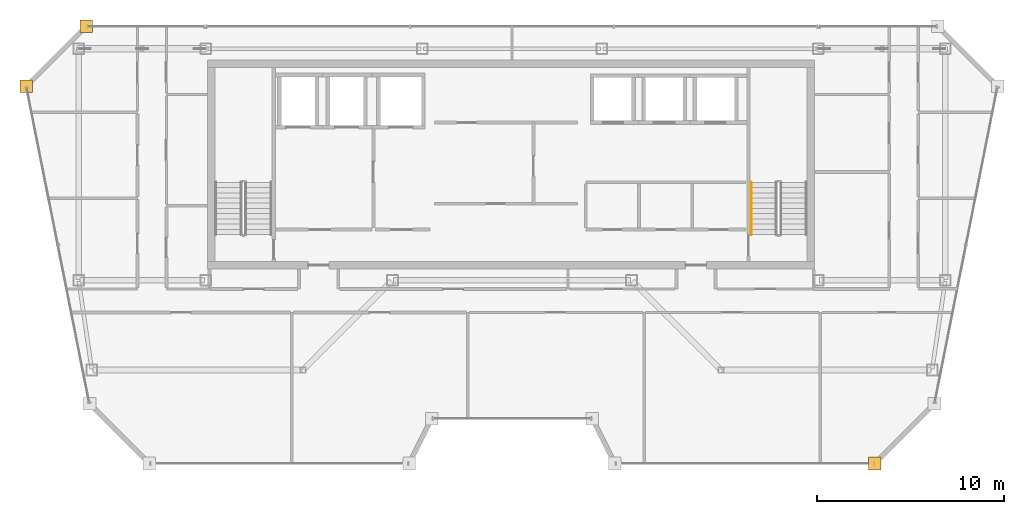
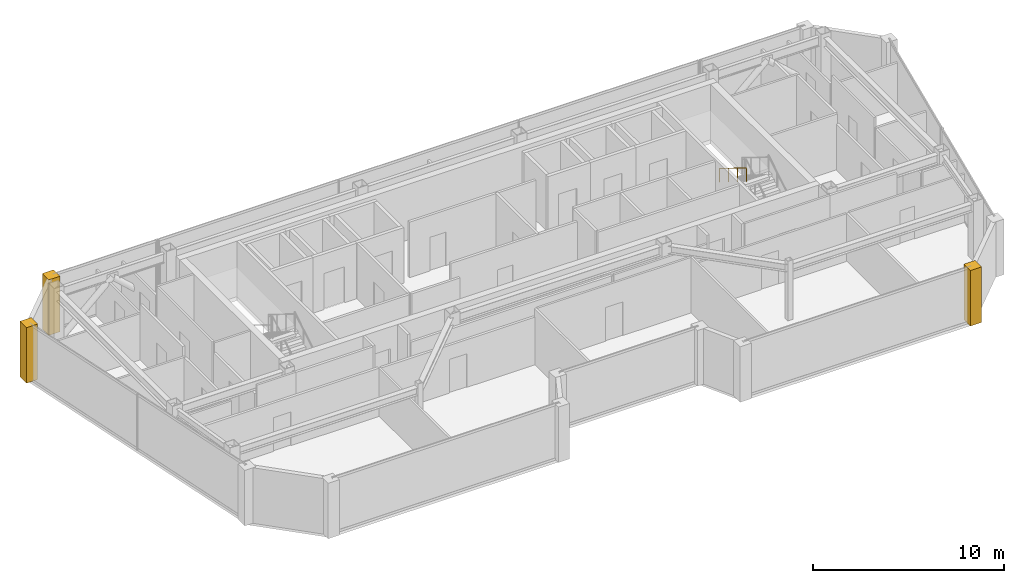
# One storey, part 23 of 24: 3 coverings, 1 railing.
"""IFC4 building model written with IfcOpenShell, lengths in metres."""

import ifcopenshell
import ifcopenshell.guid

model = None  # the IFC model being written
_history = None  # IfcOwnerHistory: only IFC2X3 demands one
_inside = {}  # id of a spatial element -> (the spatial element, [elements in it])
_under = {}  # id of a project, library or spatial element -> (it, [spatial elements below it])
_declared = {}  # id of a project -> (the project, [libraries it declares])
_typed = {}  # id of a type object -> (the type object, [elements of that type])
_made_of = {}  # id of a material, layer set ... -> (it, [elements and type objects made of it])


def new_model(schema):
    """Start an empty IFC model of exactly this schema.

    Asked for "IFC4X3", IfcOpenShell would pick the latest addendum, in which some entities
    have other attributes; the version numbers below select the first issue.
    IFC2X3 requires an IfcOwnerHistory on every rooted entity: one is made here for all.
    """
    global model, _history
    if schema == "IFC4X3":
        model = ifcopenshell.file(schema_version=(4, 3, 0, 0))
    else:
        model = ifcopenshell.file(schema=schema)
    _inside.clear()
    _under.clear()
    _declared.clear()
    _typed.clear()
    _made_of.clear()
    _history = None
    if model.schema == "IFC2X3":
        org = make("IfcOrganization", Name="unknown")
        user = make(
            "IfcPersonAndOrganization",
            ThePerson=make("IfcPerson", FamilyName="unknown"),
            TheOrganization=org,
        )
        app = make(
            "IfcApplication",
            ApplicationDeveloper=org,
            Version="unknown",
            ApplicationFullName="unknown",
            ApplicationIdentifier="unknown",
        )
        _history = make(
            "IfcOwnerHistory",
            OwningUser=user,
            OwningApplication=app,
            ChangeAction="ADDED",
            CreationDate=0,
        )
    return model


def make(cls, **values):
    """One entity of the class cls with the attributes given. An attribute that is None is left unset."""
    return model.create_entity(
        cls, **{name: value for name, value in values.items() if value is not None}
    )


def rooted(cls, **values):
    """An entity with a GlobalId (a new one), such as an element, a storey or a relation."""
    return make(cls, GlobalId=ifcopenshell.guid.new(), OwnerHistory=_history, **values)


def si_unit(unit_type, name, prefix=None):
    """IfcSIUnit, for example si_unit("LENGTHUNIT", "METRE", prefix="MILLI")."""
    return make("IfcSIUnit", UnitType=unit_type, Prefix=prefix, Name=name)


def assignment(units):
    """IfcUnitAssignment: the units of a project."""
    return None if units is None else make("IfcUnitAssignment", Units=units)


def point(xyz):
    """IfcCartesianPoint."""
    return None if xyz is None else make("IfcCartesianPoint", Coordinates=xyz)


def direction(xyz):
    """IfcDirection."""
    return None if xyz is None else make("IfcDirection", DirectionRatios=xyz)


def frame(location, z_axis=None, x_axis=None):
    """IfcAxis2Placement3D, a coordinate frame: its origin and axes. An axis left out is left unset."""
    return make(
        "IfcAxis2Placement3D",
        Location=point(location),
        Axis=direction(z_axis),
        RefDirection=direction(x_axis),
    )


def frame_2d(location, x_axis=None):
    """IfcAxis2Placement2D, a coordinate frame in the plane: its origin and x axis."""
    return make(
        "IfcAxis2Placement2D", Location=point(location), RefDirection=direction(x_axis)
    )


def origin():
    """The frame at (0, 0, 0) with its axes left unset."""
    return frame((0.0, 0.0, 0.0))


def origin_2d():
    """The frame at (0, 0) in the plane with its x axis left unset."""
    return frame_2d((0.0, 0.0))


def place(relative_to, where):
    """IfcLocalPlacement: puts the frame where relative to a parent placement (None: the world)."""
    return make(
        "IfcLocalPlacement", PlacementRelTo=relative_to, RelativePlacement=where
    )


def context(
    kind, dimensions, precision=None, world=None, true_north=None, identifier=None
):
    """IfcGeometricRepresentationContext, for example the 3D "Model" context."""
    return make(
        "IfcGeometricRepresentationContext",
        ContextIdentifier=identifier,
        ContextType=kind,
        CoordinateSpaceDimension=dimensions,
        Precision=precision,
        WorldCoordinateSystem=world,
        TrueNorth=true_north,
    )


def subcontext(parent, identifier, kind, view, scale=None):
    """IfcGeometricRepresentationSubContext, for example "Body" below "Model"."""
    return make(
        "IfcGeometricRepresentationSubContext",
        ContextIdentifier=identifier,
        ContextType=kind,
        ParentContext=parent,
        TargetScale=scale,
        TargetView=view,
    )


def project(units=None, contexts=None):
    """IfcProject with its units and contexts."""
    return rooted(
        "IfcProject",
        Name="project",
        RepresentationContexts=contexts,
        UnitsInContext=assignment(units),
    )


def spatial(cls, under=None, at=None, **own):
    """A site, building, storey or space (cls), placed at a placement, below another one or the project."""
    s = rooted(cls, ObjectPlacement=at, **own)
    if under is not None:
        _under.setdefault(under.id(), (under, []))[1].append(s)
    return s


def polyline(points):
    """IfcPolyline through the points."""
    return make("IfcPolyline", Points=[point(p) for p in points])


def profile(cls, at=None, kind="AREA", **sizes):
    """A parametric profile (cls). Its sizes go by their IFC names, for example OverallWidth=200.0."""
    return make(cls, ProfileType=kind, Position=at, **sizes)


def circle(**sizes):
    """IfcCircleProfileDef."""
    return profile("IfcCircleProfileDef", **sizes)


def outline(outer, holes=None, kind="AREA"):
    """IfcArbitraryClosedProfileDef: a profile drawn as a closed curve; with holes, ...WithVoids."""
    if holes is None:
        return make("IfcArbitraryClosedProfileDef", ProfileType=kind, OuterCurve=outer)
    return make(
        "IfcArbitraryProfileDefWithVoids",
        ProfileType=kind,
        OuterCurve=outer,
        InnerCurves=holes,
    )


def extrude(swept, where, along, depth):
    """IfcExtrudedAreaSolid: the profile swept, set in the frame where, extruded along a direction by depth."""
    return make(
        "IfcExtrudedAreaSolid",
        SweptArea=swept,
        Position=where,
        ExtrudedDirection=direction(along),
        Depth=depth,
    )


def shape(context_of_items, identifier, shape_type, items):
    """IfcShapeRepresentation: the items that make up one representation, for example the "Body"."""
    return make(
        "IfcShapeRepresentation",
        ContextOfItems=context_of_items,
        RepresentationIdentifier=identifier,
        RepresentationType=shape_type,
        Items=items,
    )


def material(Name=None, Category=None):
    """IfcMaterial."""
    return make("IfcMaterial", Name=Name, Category=Category)


def layer(
    of_material, thickness, ventilated=None, Name=None, Category=None, Priority=None
):
    """IfcMaterialLayer: one layer of a wall or slab, of a material (None: an air gap)."""
    return make(
        "IfcMaterialLayer",
        Material=of_material,
        LayerThickness=thickness,
        IsVentilated=ventilated,
        Name=Name,
        Category=Category,
        Priority=Priority,
    )


def layer_set(layers, Name=None):
    """IfcMaterialLayerSet."""
    return make("IfcMaterialLayerSet", MaterialLayers=layers, LayerSetName=Name)


def made_of(thing, what):
    """Note that an element or type object is made of a material, layer set ...; save() writes the relation."""
    if what is not None:
        _made_of.setdefault(what.id(), (what, []))[1].append(thing)
    return thing


def type_object(cls, material=None, **own):
    """A type object (cls), such as IfcWallType, which elements share."""
    return made_of(rooted(cls, **own), material)


def element(
    cls,
    number,
    at=None,
    inside=None,
    cuts=None,
    type_object=None,
    material=None,
    context=None,
    identifier="Body",
    shape_type=None,
    held_by="IfcProductDefinitionShape",
    body=None,
    shapes=None,
    **own,
):
    """One element of the class cls, such as IfcWall. Its Tag is "e" and its number.

    at: its placement. inside: the storey or other place that contains it. cuts: it is an
    opening in that element (IfcRelVoidsElement). A single representation is given by context,
    identifier, shape_type and body (its items); several are given by shapes. held_by: the class
    of the entity that holds the representations. save() writes the other relations.
    """
    e = rooted(cls, Tag="e%d" % number, ObjectPlacement=at, **own)
    if body is not None:
        shapes = [shape(context, identifier, shape_type, body)]
    if shapes is not None:
        e.Representation = make(held_by, Representations=shapes)
    if inside is not None:
        _inside.setdefault(inside.id(), (inside, []))[1].append(e)
    if cuts is not None:
        rooted(
            "IfcRelVoidsElement", RelatingBuildingElement=cuts, RelatedOpeningElement=e
        )
    if type_object is not None:
        _typed.setdefault(type_object.id(), (type_object, []))[1].append(e)
    return made_of(e, material)


def aggregate(whole, parts):
    """IfcRelAggregates: a whole, such as a stair, and the parts it consists of."""
    return rooted("IfcRelAggregates", RelatingObject=whole, RelatedObjects=parts)


def save(model, path):
    """Write the relations noted so far, then the file.

    IfcRelAggregates (storeys below a building ...), IfcRelContainedInSpatialStructure (elements
    in a storey), IfcRelDefinesByType, IfcRelAssociatesMaterial and IfcRelDeclares: one each for
    every whole, place, type object, material and project.
    """
    for whole, parts in _under.values():
        aggregate(whole, parts)
    for where, things in _inside.values():
        rooted(
            "IfcRelContainedInSpatialStructure",
            RelatedElements=things,
            RelatingStructure=where,
        )
    for kind, things in _typed.values():
        rooted("IfcRelDefinesByType", RelatedObjects=things, RelatingType=kind)
    for what, things in _made_of.values():
        rooted("IfcRelAssociatesMaterial", RelatedObjects=things, RelatingMaterial=what)
    for by, libraries in _declared.values():
        rooted("IfcRelDeclares", RelatingContext=by, RelatedDefinitions=libraries)
    model.write(path)


model = new_model("IFC4")

# Units and contexts
model_context = context("Model", 3, precision=1e-05, world=origin(), true_north=direction((0.0, 1.0)))
body_context = subcontext(model_context, "Body", "Model", "MODEL_VIEW")
ifc_project = project(units=[si_unit("LENGTHUNIT", "METRE"), si_unit("AREAUNIT", "SQUARE_METRE"), si_unit("VOLUMEUNIT", "CUBIC_METRE"), si_unit("PLANEANGLEUNIT", "RADIAN"), si_unit("MASSUNIT", "GRAM", prefix="KILO")], contexts=[model_context])

# Site, building, storey
site_placement = place(None, origin())
site = spatial("IfcSite", under=ifc_project, at=site_placement, CompositionType="ELEMENT")
building_placement = place(site_placement, origin())
building = spatial("IfcBuilding", under=site, at=building_placement, Name="Saevonmaru Cultural Tower", CompositionType="ELEMENT")
storey_placement = place(building_placement, frame((0.0, 0.0, 299.0)))
storey = spatial("IfcBuildingStorey", under=building, at=storey_placement, Name="L71", CompositionType="ELEMENT", Elevation=299.0)

# Coverings
ifc_material = material(Name="Satin Bronze Anodised Aluminium", Category="aluminium")
ifc_layer = layer(ifc_material, 0.679931640625, Name="Satin Bronze Anodised Aluminium")
ifc_layer_set = layer_set([ifc_layer], Name="Satin Bronze Anodised Aluminium")
covering_type = type_object("IfcCoveringType", Name="CV-CORNER-CLAD", PredefinedType="CLADDING", material=ifc_layer_set)
covering_1_placement = place(storey_placement, origin())
element("IfcCovering", 1, at=covering_1_placement, inside=storey, type_object=covering_type, Name="L71 Tower Bronze Corner Cladding Pier 7", PredefinedType="CLADDING", context=body_context, shape_type="SweptSolid", body=[
    extrude(outline(polyline([(49.080078125, 32.260009765625), (49.760009765625, 32.260009765625), (49.760009765625, 32.93994140625), (49.080078125, 32.93994140625), (49.080078125, 32.260009765625)])), origin(), (0.0, 0.0, 1.0), 3.550048828125),
])
covering_2_placement = place(storey_placement, origin())
element("IfcCovering", 2, at=covering_2_placement, inside=storey, type_object=covering_type, Name="L71 Tower Bronze Corner Cladding Pier 11", PredefinedType="CLADDING", context=body_context, shape_type="SweptSolid", body=[
    extrude(outline(polyline([(6.860107421875, 55.659912109375), (7.5400390625, 55.659912109375), (7.5400390625, 56.340087890625), (6.860107421875, 56.340087890625), (6.860107421875, 55.659912109375)])), origin(), (0.0, 0.0, 1.0), 3.550048828125),
])
covering_3_placement = place(storey_placement, origin())
element("IfcCovering", 3, at=covering_3_placement, inside=storey, type_object=covering_type, Name="L71 Tower Bronze Corner Cladding Pier 12", PredefinedType="CLADDING", context=body_context, shape_type="SweptSolid", body=[
    extrude(outline(polyline([(3.659912109375, 52.4599609375), (4.340087890625, 52.4599609375), (4.340087890625, 53.139892578125), (3.659912109375, 53.139892578125), (3.659912109375, 52.4599609375)])), origin(), (0.0, 0.0, 1.0), 3.550048828125),
])

# Railing
railing_type = type_object("IfcRailingType", Name="RL-STAIR-HANDRAIL", PredefinedType="HANDRAIL", material=ifc_material)
railing_placement = place(storey_placement, frame((42.800048828125, 47.64990234375, 2.07275390625)))
element("IfcRailing", 4, at=railing_placement, inside=storey, type_object=railing_type, Name="L71 ST-2 stair handrail 2", PredefinedType="HANDRAIL", context=body_context, shape_type="SweptSolid", body=[
    extrude(circle(Radius=0.02392578125, at=origin_2d()), frame((0.0, 0.0, 0.8759765625), z_axis=(0.0, -0.851069175582, 0.525053576669), x_axis=(1.0, 0.0, 0.0)), (0.0, 0.0, 1.0), 3.289794921875),
    extrude(circle(Radius=0.02099609375, at=origin_2d()), origin(), (0.0, 0.0, 1.0), 0.851806640625),
    extrude(circle(Radius=0.02099609375, at=origin_2d()), frame((0.0, -0.933349609375, 0.57568359375)), (0.0, 0.0, 1.0), 0.851806640625),
    extrude(circle(Radius=0.02099609375, at=origin_2d()), frame((0.0, -1.866455078125, 1.151611328125)), (0.0, 0.0, 1.0), 0.851806640625),
    extrude(circle(Radius=0.02099609375, at=origin_2d()), frame((0.0, -2.7998046875, 1.727294921875)), (0.0, 0.0, 1.0), 0.851806640625),
])

save(model, "model.ifc")
